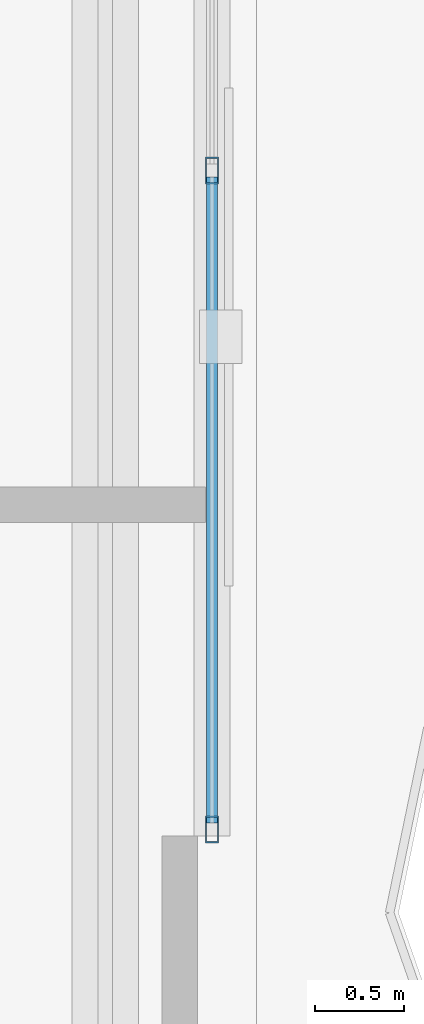
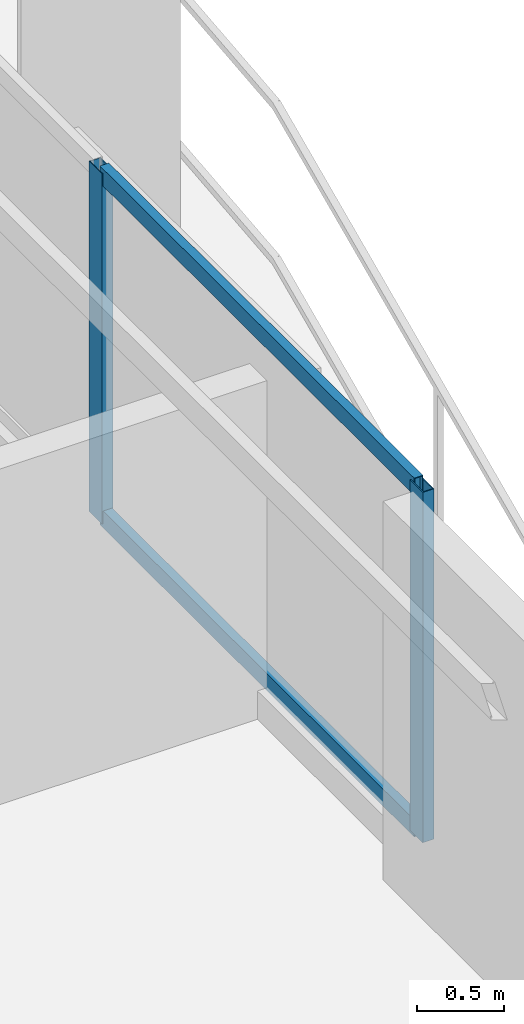
# One storey, part 8 of 22: 4 members, 1 element without a shape of its own.
"""IFC4 building model written with IfcOpenShell, lengths in metres."""

from ifc_helpers import new_model, si_unit, direction, frame, origin, origin_2d, place, context, subcontext, project, spatial, hollow_rectangle, extrude, material, layer, layer_set, material_profile, profile_set, type_object, element, aggregate, save


model = new_model("IFC4")

# Units and contexts
model_context = context("Model", 3, precision=1e-05, world=origin(), true_north=direction((0.0, 1.0)))
body_context = subcontext(model_context, "Body", "Model", "MODEL_VIEW")
ifc_project = project(units=[si_unit("LENGTHUNIT", "METRE"), si_unit("AREAUNIT", "SQUARE_METRE"), si_unit("VOLUMEUNIT", "CUBIC_METRE"), si_unit("PLANEANGLEUNIT", "RADIAN"), si_unit("MASSUNIT", "GRAM", prefix="KILO")], contexts=[model_context])

# Site, building, storey
site_placement = place(None, origin())
site = spatial("IfcSite", under=ifc_project, at=site_placement, CompositionType="ELEMENT")
building_placement = place(site_placement, origin())
building = spatial("IfcBuilding", under=site, at=building_placement, Name="Mersakhor Tower and Convention Hall", CompositionType="ELEMENT")
storey_placement = place(building_placement, frame((0.0, 0.0, 90.0)))
storey = spatial("IfcBuildingStorey", under=building, at=storey_placement, Name="L24", CompositionType="ELEMENT", Elevation=90.0)

# Curtain wall, members
ifc_material_1 = material(Name="Dark solar low-E aluminium curtain wall", Category="aluminium")
ifc_layer = layer(ifc_material_1, 0.159912109375)
ifc_layer_set = layer_set([ifc_layer], Name="Dark solar low-E aluminium curtain wall")
curtain_wall_type = type_object("IfcCurtainWallType", Name="CW-SYS-01", PredefinedType="USERDEFINED", material=ifc_layer_set)
curtain_wall_placement = place(storey_placement, origin())
curtain_wall = element("IfcCurtainWall", 1, at=curtain_wall_placement, inside=storey, type_object=curtain_wall_type, Name="L24 Dark-Glass Curtain Wall F2-B2", ObjectType="CURTAIN WALL", PredefinedType="USERDEFINED")
ifc_material_2 = material(Name="Anodised aluminium EN AW-6063 T6", Category="aluminium")
ifc_material_profile_1 = material_profile(ifc_material_2, hollow_rectangle(XDim=0.074951171875, YDim=0.14990234375, WallThickness=0.00634765625, at=origin_2d()), Name="RHS 150x75x6.3")
ifc_profile_set_1 = profile_set([ifc_material_profile_1], Name="Anodised aluminium EN AW-6063 T6")
member_type_1 = type_object("IfcMemberType", Name="CWM-150x75", PredefinedType="MULLION", material=ifc_profile_set_1)
member_1_placement = place(storey_placement, frame((43.03466796875, 24.87841796875, 0.199951171875), z_axis=(0.0, 0.0, 1.0), x_axis=(1.0, 0.0, 0.0)))
member_1 = element("IfcMember", 2, at=member_1_placement, type_object=member_type_1, Name="CW-01 mullion 3", PredefinedType="MULLION", context=body_context, shape_type="SweptSolid", body=[
    extrude(hollow_rectangle(XDim=0.074951171875, YDim=0.14990234375, WallThickness=0.00634765625, at=origin_2d()), origin(), (0.0, 0.0, 1.0), 2.469970703125),
])
member_2_placement = place(storey_placement, frame((43.03466796875, 21.172607421875, 0.199951171875), z_axis=(0.0, 0.0, 1.0), x_axis=(1.0, 0.0, 0.0)))
member_2 = element("IfcMember", 3, at=member_2_placement, type_object=member_type_1, Name="CW-01 mullion 4", PredefinedType="MULLION", context=body_context, shape_type="SweptSolid", body=[
    extrude(hollow_rectangle(XDim=0.074951171875, YDim=0.14990234375, WallThickness=0.00634765625, at=origin_2d()), origin(), (0.0, 0.0, 1.0), 2.469970703125),
])
ifc_material_3 = material(Name="Anodised aluminium EN AW-6063 T6", Category="aluminium")
ifc_material_profile_2 = material_profile(ifc_material_3, hollow_rectangle(XDim=0.06005859375, YDim=0.1201171875, WallThickness=0.0048828125, at=origin_2d()), Name="RHS 120x60x5")
ifc_profile_set_2 = profile_set([ifc_material_profile_2], Name="Anodised aluminium EN AW-6063 T6")
member_type_2 = type_object("IfcMemberType", Name="CWT-120x60", PredefinedType="USERDEFINED", material=ifc_profile_set_2)
member_3_placement = place(storey_placement, frame((43.03466796875, 24.8408203125, 0.22998046875), z_axis=(0.0, -1.0, 0.0), x_axis=(1.0, 0.0, 0.0)))
member_3 = element("IfcMember", 4, at=member_3_placement, type_object=member_type_2, Name="CW-01 transom 3.1", ObjectType="TRANSOM", PredefinedType="USERDEFINED", context=body_context, shape_type="SweptSolid", body=[
    extrude(hollow_rectangle(XDim=0.06005859375, YDim=0.1201171875, WallThickness=0.0048828125, at=origin_2d()), origin(), (0.0, 0.0, 1.0), 3.630615234375),
])
member_4_placement = place(storey_placement, frame((43.03466796875, 24.8408203125, 2.639892578125), z_axis=(0.0, -1.0, 0.0), x_axis=(1.0, 0.0, 0.0)))
member_4 = element("IfcMember", 5, at=member_4_placement, type_object=member_type_2, Name="CW-01 transom 3.2", ObjectType="TRANSOM", PredefinedType="USERDEFINED", context=body_context, shape_type="SweptSolid", body=[
    extrude(hollow_rectangle(XDim=0.06005859375, YDim=0.1201171875, WallThickness=0.0048828125, at=origin_2d()), origin(), (0.0, 0.0, 1.0), 3.630615234375),
])
aggregate(curtain_wall, [member_1, member_2, member_3, member_4])

save(model, "model.ifc")
